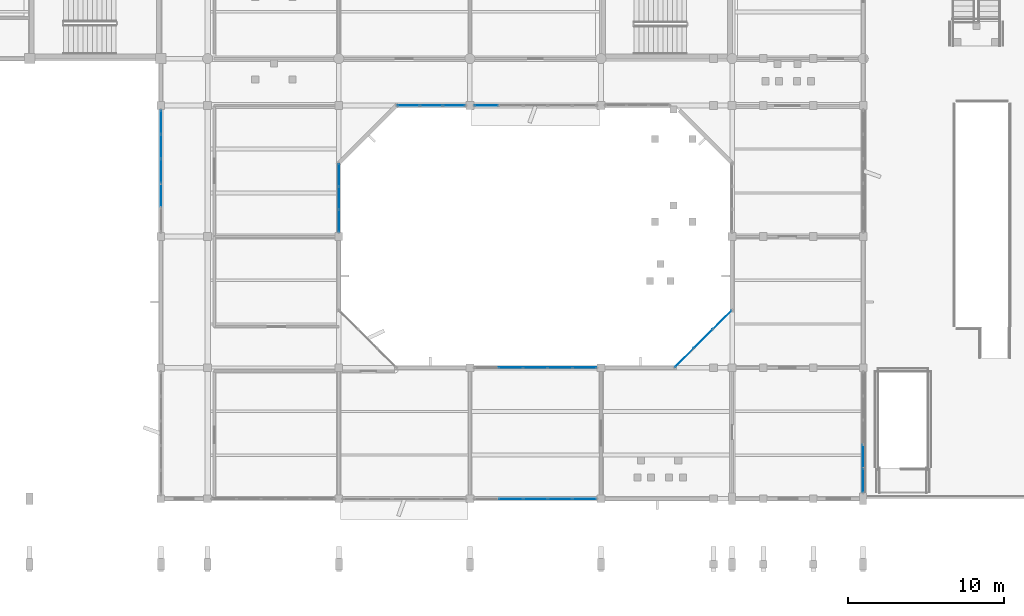
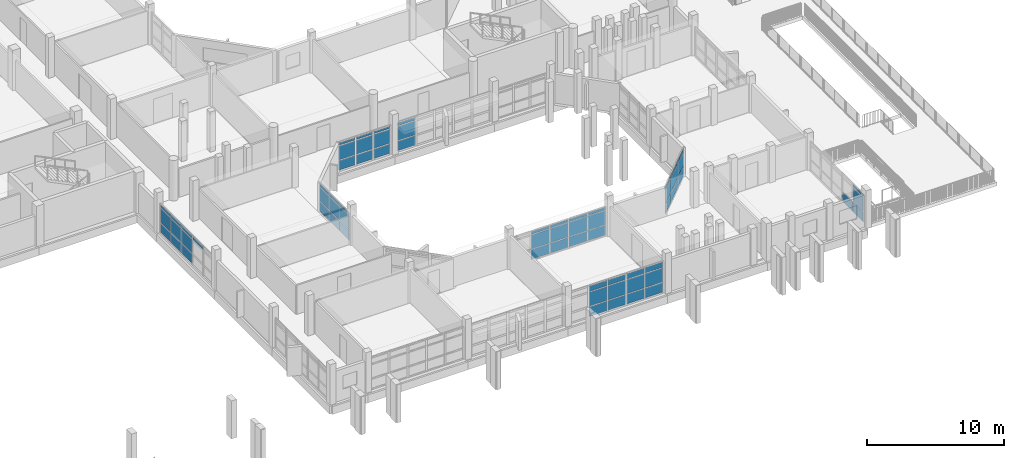
# One storey, part 54 of 104: 68 plates, 8 elements without a shape of their own.
"""IFC4 building model written with IfcOpenShell, lengths in metres."""

import ifcopenshell
import ifcopenshell.guid

model = None  # the IFC model being written
_history = None  # IfcOwnerHistory: only IFC2X3 demands one
_inside = {}  # id of a spatial element -> (the spatial element, [elements in it])
_under = {}  # id of a project, library or spatial element -> (it, [spatial elements below it])
_declared = {}  # id of a project -> (the project, [libraries it declares])
_typed = {}  # id of a type object -> (the type object, [elements of that type])
_made_of = {}  # id of a material, layer set ... -> (it, [elements and type objects made of it])


def new_model(schema):
    """Start an empty IFC model of exactly this schema.

    Asked for "IFC4X3", IfcOpenShell would pick the latest addendum, in which some entities
    have other attributes; the version numbers below select the first issue.
    IFC2X3 requires an IfcOwnerHistory on every rooted entity: one is made here for all.
    """
    global model, _history
    if schema == "IFC4X3":
        model = ifcopenshell.file(schema_version=(4, 3, 0, 0))
    else:
        model = ifcopenshell.file(schema=schema)
    _inside.clear()
    _under.clear()
    _declared.clear()
    _typed.clear()
    _made_of.clear()
    _history = None
    if model.schema == "IFC2X3":
        org = make("IfcOrganization", Name="unknown")
        user = make(
            "IfcPersonAndOrganization",
            ThePerson=make("IfcPerson", FamilyName="unknown"),
            TheOrganization=org,
        )
        app = make(
            "IfcApplication",
            ApplicationDeveloper=org,
            Version="unknown",
            ApplicationFullName="unknown",
            ApplicationIdentifier="unknown",
        )
        _history = make(
            "IfcOwnerHistory",
            OwningUser=user,
            OwningApplication=app,
            ChangeAction="ADDED",
            CreationDate=0,
        )
    return model


def make(cls, **values):
    """One entity of the class cls with the attributes given. An attribute that is None is left unset."""
    return model.create_entity(
        cls, **{name: value for name, value in values.items() if value is not None}
    )


def rooted(cls, **values):
    """An entity with a GlobalId (a new one), such as an element, a storey or a relation."""
    return make(cls, GlobalId=ifcopenshell.guid.new(), OwnerHistory=_history, **values)


def si_unit(unit_type, name, prefix=None):
    """IfcSIUnit, for example si_unit("LENGTHUNIT", "METRE", prefix="MILLI")."""
    return make("IfcSIUnit", UnitType=unit_type, Prefix=prefix, Name=name)


def assignment(units):
    """IfcUnitAssignment: the units of a project."""
    return None if units is None else make("IfcUnitAssignment", Units=units)


def point(xyz):
    """IfcCartesianPoint."""
    return None if xyz is None else make("IfcCartesianPoint", Coordinates=xyz)


def direction(xyz):
    """IfcDirection."""
    return None if xyz is None else make("IfcDirection", DirectionRatios=xyz)


def frame(location, z_axis=None, x_axis=None):
    """IfcAxis2Placement3D, a coordinate frame: its origin and axes. An axis left out is left unset."""
    return make(
        "IfcAxis2Placement3D",
        Location=point(location),
        Axis=direction(z_axis),
        RefDirection=direction(x_axis),
    )


def frame_2d(location, x_axis=None):
    """IfcAxis2Placement2D, a coordinate frame in the plane: its origin and x axis."""
    return make(
        "IfcAxis2Placement2D", Location=point(location), RefDirection=direction(x_axis)
    )


def origin():
    """The frame at (0, 0, 0) with its axes left unset."""
    return frame((0.0, 0.0, 0.0))


def origin_2d():
    """The frame at (0, 0) in the plane with its x axis left unset."""
    return frame_2d((0.0, 0.0))


def place(relative_to, where):
    """IfcLocalPlacement: puts the frame where relative to a parent placement (None: the world)."""
    return make(
        "IfcLocalPlacement", PlacementRelTo=relative_to, RelativePlacement=where
    )


def context(
    kind, dimensions, precision=None, world=None, true_north=None, identifier=None
):
    """IfcGeometricRepresentationContext, for example the 3D "Model" context."""
    return make(
        "IfcGeometricRepresentationContext",
        ContextIdentifier=identifier,
        ContextType=kind,
        CoordinateSpaceDimension=dimensions,
        Precision=precision,
        WorldCoordinateSystem=world,
        TrueNorth=true_north,
    )


def subcontext(parent, identifier, kind, view, scale=None):
    """IfcGeometricRepresentationSubContext, for example "Body" below "Model"."""
    return make(
        "IfcGeometricRepresentationSubContext",
        ContextIdentifier=identifier,
        ContextType=kind,
        ParentContext=parent,
        TargetScale=scale,
        TargetView=view,
    )


def project(units=None, contexts=None):
    """IfcProject with its units and contexts."""
    return rooted(
        "IfcProject",
        Name="project",
        RepresentationContexts=contexts,
        UnitsInContext=assignment(units),
    )


def spatial(cls, under=None, at=None, **own):
    """A site, building, storey or space (cls), placed at a placement, below another one or the project."""
    s = rooted(cls, ObjectPlacement=at, **own)
    if under is not None:
        _under.setdefault(under.id(), (under, []))[1].append(s)
    return s


def profile(cls, at=None, kind="AREA", **sizes):
    """A parametric profile (cls). Its sizes go by their IFC names, for example OverallWidth=200.0."""
    return make(cls, ProfileType=kind, Position=at, **sizes)


def rectangle(**sizes):
    """IfcRectangleProfileDef."""
    return profile("IfcRectangleProfileDef", **sizes)


def extrude(swept, where, along, depth):
    """IfcExtrudedAreaSolid: the profile swept, set in the frame where, extruded along a direction by depth."""
    return make(
        "IfcExtrudedAreaSolid",
        SweptArea=swept,
        Position=where,
        ExtrudedDirection=direction(along),
        Depth=depth,
    )


def shape(context_of_items, identifier, shape_type, items):
    """IfcShapeRepresentation: the items that make up one representation, for example the "Body"."""
    return make(
        "IfcShapeRepresentation",
        ContextOfItems=context_of_items,
        RepresentationIdentifier=identifier,
        RepresentationType=shape_type,
        Items=items,
    )


def material(Name=None, Category=None):
    """IfcMaterial."""
    return make("IfcMaterial", Name=Name, Category=Category)


def layer(
    of_material, thickness, ventilated=None, Name=None, Category=None, Priority=None
):
    """IfcMaterialLayer: one layer of a wall or slab, of a material (None: an air gap)."""
    return make(
        "IfcMaterialLayer",
        Material=of_material,
        LayerThickness=thickness,
        IsVentilated=ventilated,
        Name=Name,
        Category=Category,
        Priority=Priority,
    )


def layer_set(layers, Name=None):
    """IfcMaterialLayerSet."""
    return make("IfcMaterialLayerSet", MaterialLayers=layers, LayerSetName=Name)


def made_of(thing, what):
    """Note that an element or type object is made of a material, layer set ...; save() writes the relation."""
    if what is not None:
        _made_of.setdefault(what.id(), (what, []))[1].append(thing)
    return thing


def type_object(cls, material=None, **own):
    """A type object (cls), such as IfcWallType, which elements share."""
    return made_of(rooted(cls, **own), material)


def element(
    cls,
    number,
    at=None,
    inside=None,
    cuts=None,
    type_object=None,
    material=None,
    context=None,
    identifier="Body",
    shape_type=None,
    held_by="IfcProductDefinitionShape",
    body=None,
    shapes=None,
    **own,
):
    """One element of the class cls, such as IfcWall. Its Tag is "e" and its number.

    at: its placement. inside: the storey or other place that contains it. cuts: it is an
    opening in that element (IfcRelVoidsElement). A single representation is given by context,
    identifier, shape_type and body (its items); several are given by shapes. held_by: the class
    of the entity that holds the representations. save() writes the other relations.
    """
    e = rooted(cls, Tag="e%d" % number, ObjectPlacement=at, **own)
    if body is not None:
        shapes = [shape(context, identifier, shape_type, body)]
    if shapes is not None:
        e.Representation = make(held_by, Representations=shapes)
    if inside is not None:
        _inside.setdefault(inside.id(), (inside, []))[1].append(e)
    if cuts is not None:
        rooted(
            "IfcRelVoidsElement", RelatingBuildingElement=cuts, RelatedOpeningElement=e
        )
    if type_object is not None:
        _typed.setdefault(type_object.id(), (type_object, []))[1].append(e)
    return made_of(e, material)


def aggregate(whole, parts):
    """IfcRelAggregates: a whole, such as a stair, and the parts it consists of."""
    return rooted("IfcRelAggregates", RelatingObject=whole, RelatedObjects=parts)


def save(model, path):
    """Write the relations noted so far, then the file.

    IfcRelAggregates (storeys below a building ...), IfcRelContainedInSpatialStructure (elements
    in a storey), IfcRelDefinesByType, IfcRelAssociatesMaterial and IfcRelDeclares: one each for
    every whole, place, type object, material and project.
    """
    for whole, parts in _under.values():
        aggregate(whole, parts)
    for where, things in _inside.values():
        rooted(
            "IfcRelContainedInSpatialStructure",
            RelatedElements=things,
            RelatingStructure=where,
        )
    for kind, things in _typed.values():
        rooted("IfcRelDefinesByType", RelatedObjects=things, RelatingType=kind)
    for what, things in _made_of.values():
        rooted("IfcRelAssociatesMaterial", RelatedObjects=things, RelatingMaterial=what)
    for by, libraries in _declared.values():
        rooted("IfcRelDeclares", RelatingContext=by, RelatedDefinitions=libraries)
    model.write(path)


model = new_model("IFC4")

# Units and contexts
model_context = context("Model", 3, precision=1e-05, world=origin(), true_north=direction((0.0, 1.0)))
body_context = subcontext(model_context, "Body", "Model", "MODEL_VIEW")
ifc_project = project(units=[si_unit("LENGTHUNIT", "METRE"), si_unit("AREAUNIT", "SQUARE_METRE"), si_unit("VOLUMEUNIT", "CUBIC_METRE"), si_unit("PLANEANGLEUNIT", "RADIAN"), si_unit("MASSUNIT", "GRAM", prefix="KILO")], contexts=[model_context])

# Site, building, storey
site_placement = place(None, origin())
site = spatial("IfcSite", under=ifc_project, at=site_placement, CompositionType="ELEMENT")
building_placement = place(site_placement, origin())
building = spatial("IfcBuilding", under=site, at=building_placement, Name="Vanh Quang Courtyard School", CompositionType="ELEMENT")
storey_placement = place(building_placement, frame((0.0, 0.0, 4.199951171875)))
storey = spatial("IfcBuildingStorey", under=building, at=storey_placement, Name="L01", CompositionType="ELEMENT", Elevation=4.199951171875)

# Curtain wall, plates
ifc_material_1 = material(Name="Thermally broken aluminium unitised curtain wall", Category="aluminium")
curtain_wall_type_1 = type_object("IfcCurtainWallType", Name="CW-SYS-24", PredefinedType="NOTDEFINED", material=ifc_material_1)
curtain_wall_1_placement = place(storey_placement, origin())
curtain_wall_1 = element("IfcCurtainWall", 1, at=curtain_wall_1_placement, inside=storey, type_object=curtain_wall_type_1, Name="Curtain Wall CW-24 (L01)", PredefinedType="NOTDEFINED")
ifc_material_2 = material(Name="Low-E laminated double glazing", Category="glass")
ifc_layer_1 = layer(ifc_material_2, 0.028076171875)
ifc_layer_set_1 = layer_set([ifc_layer_1], Name="Low-E laminated double glazing")
plate_type_1 = type_object("IfcPlateType", Name="CW-PNL-28", PredefinedType="CURTAIN_PANEL", material=ifc_layer_set_1)
plate_1_placement = place(storey_placement, frame((119.39990234375, 6.91064453125, 0.06005859375), z_axis=(0.0, 0.0, 1.0), x_axis=(0.0, -1.0, 0.0)))
plate_1 = element("IfcPlate", 2, at=plate_1_placement, type_object=plate_type_1, Name="CW-24 panel 4.1", PredefinedType="CURTAIN_PANEL", context=body_context, shape_type="SweptSolid", body=[
    extrude(rectangle(XDim=1.49169921875, YDim=0.028076171875, at=origin_2d()), origin(), (0.0, 0.0, 1.0), 0.860107421875),
])
plate_2_placement = place(storey_placement, frame((119.39990234375, 5.373779296875, 0.06005859375), z_axis=(0.0, 0.0, 1.0), x_axis=(0.0, -1.0, 0.0)))
plate_2 = element("IfcPlate", 3, at=plate_2_placement, type_object=plate_type_1, Name="CW-24 panel 5.1", PredefinedType="CURTAIN_PANEL", context=body_context, shape_type="SweptSolid", body=[
    extrude(rectangle(XDim=1.4619140625, YDim=0.028076171875, at=origin_2d()), origin(), (0.0, 0.0, 1.0), 0.860107421875),
])
plate_3_placement = place(storey_placement, frame((119.39990234375, 5.373779296875, 0.97998046875), z_axis=(0.0, 0.0, 1.0), x_axis=(0.0, -1.0, 0.0)))
plate_3 = element("IfcPlate", 4, at=plate_3_placement, type_object=plate_type_1, Name="CW-24 panel 5.2", PredefinedType="CURTAIN_PANEL", context=body_context, shape_type="SweptSolid", body=[
    extrude(rectangle(XDim=1.4619140625, YDim=0.028076171875, at=origin_2d()), origin(), (0.0, 0.0, 1.0), 1.239990234375),
])
plate_4_placement = place(storey_placement, frame((119.39990234375, 5.373779296875, 2.2802734375), z_axis=(0.0, 0.0, 1.0), x_axis=(0.0, -1.0, 0.0)))
plate_4 = element("IfcPlate", 5, at=plate_4_placement, type_object=plate_type_1, Name="CW-24 panel 5.3", PredefinedType="CURTAIN_PANEL", context=body_context, shape_type="SweptSolid", body=[
    extrude(rectangle(XDim=1.4619140625, YDim=0.028076171875, at=origin_2d()), origin(), (0.0, 0.0, 1.0), 0.239990234375),
])
aggregate(curtain_wall_1, [plate_1, plate_2, plate_3, plate_4])

curtain_wall_type_2 = type_object("IfcCurtainWallType", Name="CW-SYS-37", PredefinedType="NOTDEFINED", material=ifc_material_1)
curtain_wall_2_placement = place(storey_placement, origin())
curtain_wall_2 = element("IfcCurtainWall", 6, at=curtain_wall_2_placement, inside=storey, type_object=curtain_wall_type_2, Name="Curtain Wall CW-37 (L01)", PredefinedType="NOTDEFINED")
plate_5_placement = place(storey_placement, frame((107.932373046875, 13.228271484375, 0.06982421875), z_axis=(0.0, 0.0, 1.0), x_axis=(0.707106781187, 0.707106781187, 0.0)))
plate_5 = element("IfcPlate", 7, at=plate_5_placement, type_object=plate_type_1, Name="CW-37 panel 1.1", PredefinedType="CURTAIN_PANEL", context=body_context, shape_type="SweptSolid", body=[
    extrude(rectangle(XDim=1.63720703125, YDim=0.028076171875, at=origin_2d()), origin(), (0.0, 0.0, 1.0), 0.844970703125),
])
plate_6_placement = place(storey_placement, frame((107.932373046875, 13.228271484375, 0.985107421875), z_axis=(0.0, 0.0, 1.0), x_axis=(0.707106781187, 0.707106781187, 0.0)))
plate_6 = element("IfcPlate", 8, at=plate_6_placement, type_object=plate_type_1, Name="CW-37 panel 1.2", PredefinedType="CURTAIN_PANEL", context=body_context, shape_type="SweptSolid", body=[
    extrude(rectangle(XDim=1.63720703125, YDim=0.028076171875, at=origin_2d()), origin(), (0.0, 0.0, 1.0), 1.22998046875),
])
plate_7_placement = place(storey_placement, frame((107.932373046875, 13.228271484375, 2.284912109375), z_axis=(0.0, 0.0, 1.0), x_axis=(0.707106781187, 0.707106781187, 0.0)))
plate_7 = element("IfcPlate", 9, at=plate_7_placement, type_object=plate_type_1, Name="CW-37 panel 1.3", PredefinedType="CURTAIN_PANEL", context=body_context, shape_type="SweptSolid", body=[
    extrude(rectangle(XDim=1.63720703125, YDim=0.028076171875, at=origin_2d()), origin(), (0.0, 0.0, 1.0), 0.22509765625),
])
plate_8_placement = place(storey_placement, frame((109.152099609375, 14.447998046875, 0.06982421875), z_axis=(0.0, 0.0, 1.0), x_axis=(0.707106781187, 0.707106781187, 0.0)))
plate_8 = element("IfcPlate", 10, at=plate_8_placement, type_object=plate_type_1, Name="CW-37 panel 2.1", PredefinedType="CURTAIN_PANEL", context=body_context, shape_type="SweptSolid", body=[
    extrude(rectangle(XDim=1.67236328125, YDim=0.028076171875, at=origin_2d()), origin(), (0.0, 0.0, 1.0), 0.844970703125),
])
plate_9_placement = place(storey_placement, frame((109.152099609375, 14.447998046875, 0.985107421875), z_axis=(0.0, 0.0, 1.0), x_axis=(0.707106781187, 0.707106781187, 0.0)))
plate_9 = element("IfcPlate", 11, at=plate_9_placement, type_object=plate_type_1, Name="CW-37 panel 2.2", PredefinedType="CURTAIN_PANEL", context=body_context, shape_type="SweptSolid", body=[
    extrude(rectangle(XDim=1.67236328125, YDim=0.028076171875, at=origin_2d()), origin(), (0.0, 0.0, 1.0), 1.22998046875),
])
plate_10_placement = place(storey_placement, frame((109.152099609375, 14.447998046875, 2.284912109375), z_axis=(0.0, 0.0, 1.0), x_axis=(0.707106781187, 0.707106781187, 0.0)))
plate_10 = element("IfcPlate", 12, at=plate_10_placement, type_object=plate_type_1, Name="CW-37 panel 2.3", PredefinedType="CURTAIN_PANEL", context=body_context, shape_type="SweptSolid", body=[
    extrude(rectangle(XDim=1.67236328125, YDim=0.028076171875, at=origin_2d()), origin(), (0.0, 0.0, 1.0), 0.22509765625),
])
plate_11_placement = place(storey_placement, frame((110.37158203125, 15.667724609375, 0.06982421875), z_axis=(0.0, 0.0, 1.0), x_axis=(0.707106781187, 0.707106781187, 0.0)))
plate_11 = element("IfcPlate", 13, at=plate_11_placement, type_object=plate_type_1, Name="CW-37 panel 3.1", PredefinedType="CURTAIN_PANEL", context=body_context, shape_type="SweptSolid", body=[
    extrude(rectangle(XDim=1.63720703125, YDim=0.028076171875, at=origin_2d()), origin(), (0.0, 0.0, 1.0), 0.844970703125),
])
plate_12_placement = place(storey_placement, frame((110.37158203125, 15.667724609375, 0.985107421875), z_axis=(0.0, 0.0, 1.0), x_axis=(0.707106781187, 0.707106781187, 0.0)))
plate_12 = element("IfcPlate", 14, at=plate_12_placement, type_object=plate_type_1, Name="CW-37 panel 3.2", PredefinedType="CURTAIN_PANEL", context=body_context, shape_type="SweptSolid", body=[
    extrude(rectangle(XDim=1.63720703125, YDim=0.028076171875, at=origin_2d()), origin(), (0.0, 0.0, 1.0), 1.22998046875),
])
plate_13_placement = place(storey_placement, frame((110.37158203125, 15.667724609375, 2.284912109375), z_axis=(0.0, 0.0, 1.0), x_axis=(0.707106781187, 0.707106781187, 0.0)))
plate_13 = element("IfcPlate", 15, at=plate_13_placement, type_object=plate_type_1, Name="CW-37 panel 3.3", PredefinedType="CURTAIN_PANEL", context=body_context, shape_type="SweptSolid", body=[
    extrude(rectangle(XDim=1.63720703125, YDim=0.028076171875, at=origin_2d()), origin(), (0.0, 0.0, 1.0), 0.22509765625),
])
aggregate(curtain_wall_2, [plate_5, plate_6, plate_7, plate_8, plate_9, plate_10, plate_11, plate_12, plate_13])

curtain_wall_type_3 = type_object("IfcCurtainWallType", Name="CW-SYS-38", PredefinedType="NOTDEFINED", material=ifc_material_1)
curtain_wall_3_placement = place(storey_placement, origin())
curtain_wall_3 = element("IfcCurtainWall", 16, at=curtain_wall_3_placement, inside=storey, type_object=curtain_wall_type_3, Name="Curtain Wall CW-38 (L01)", PredefinedType="NOTDEFINED")
plate_14_placement = place(storey_placement, frame((93.180908203125, 29.39990234375, 0.080078125), z_axis=(0.0, 0.0, 1.0), x_axis=(-1.0, 0.0, 0.0)))
plate_14 = element("IfcPlate", 17, at=plate_14_placement, type_object=plate_type_1, Name="CW-38 panel 1.1", PredefinedType="CURTAIN_PANEL", context=body_context, shape_type="SweptSolid", body=[
    extrude(rectangle(XDim=1.362060546875, YDim=0.028076171875, at=origin_2d()), origin(), (0.0, 0.0, 1.0), 0.830078125),
])
plate_15_placement = place(storey_placement, frame((93.180908203125, 29.39990234375, 0.990234375), z_axis=(0.0, 0.0, 1.0), x_axis=(-1.0, 0.0, 0.0)))
plate_15 = element("IfcPlate", 18, at=plate_15_placement, type_object=plate_type_1, Name="CW-38 panel 1.2", PredefinedType="CURTAIN_PANEL", context=body_context, shape_type="SweptSolid", body=[
    extrude(rectangle(XDim=1.362060546875, YDim=0.028076171875, at=origin_2d()), origin(), (0.0, 0.0, 1.0), 1.219970703125),
])
plate_16_placement = place(storey_placement, frame((93.180908203125, 29.39990234375, 2.2900390625), z_axis=(0.0, 0.0, 1.0), x_axis=(-1.0, 0.0, 0.0)))
plate_16 = element("IfcPlate", 19, at=plate_16_placement, type_object=plate_type_1, Name="CW-38 panel 1.3", PredefinedType="CURTAIN_PANEL", context=body_context, shape_type="SweptSolid", body=[
    extrude(rectangle(XDim=1.362060546875, YDim=0.028076171875, at=origin_2d()), origin(), (0.0, 0.0, 1.0), 0.2099609375),
])
plate_17_placement = place(storey_placement, frame((91.718994140625, 29.39990234375, 0.080078125), z_axis=(0.0, 0.0, 1.0), x_axis=(-1.0, 0.0, 0.0)))
plate_17 = element("IfcPlate", 20, at=plate_17_placement, type_object=plate_type_1, Name="CW-38 panel 2.1", PredefinedType="CURTAIN_PANEL", context=body_context, shape_type="SweptSolid", body=[
    extrude(rectangle(XDim=1.402099609375, YDim=0.028076171875, at=origin_2d()), origin(), (0.0, 0.0, 1.0), 0.830078125),
])
plate_18_placement = place(storey_placement, frame((91.718994140625, 29.39990234375, 0.990234375), z_axis=(0.0, 0.0, 1.0), x_axis=(-1.0, 0.0, 0.0)))
plate_18 = element("IfcPlate", 21, at=plate_18_placement, type_object=plate_type_1, Name="CW-38 panel 2.2", PredefinedType="CURTAIN_PANEL", context=body_context, shape_type="SweptSolid", body=[
    extrude(rectangle(XDim=1.402099609375, YDim=0.028076171875, at=origin_2d()), origin(), (0.0, 0.0, 1.0), 1.219970703125),
])
plate_19_placement = place(storey_placement, frame((91.718994140625, 29.39990234375, 2.2900390625), z_axis=(0.0, 0.0, 1.0), x_axis=(-1.0, 0.0, 0.0)))
plate_19 = element("IfcPlate", 22, at=plate_19_placement, type_object=plate_type_1, Name="CW-38 panel 2.3", PredefinedType="CURTAIN_PANEL", context=body_context, shape_type="SweptSolid", body=[
    extrude(rectangle(XDim=1.402099609375, YDim=0.028076171875, at=origin_2d()), origin(), (0.0, 0.0, 1.0), 0.2099609375),
])
plate_20_placement = place(storey_placement, frame((90.257080078125, 29.39990234375, 0.080078125), z_axis=(0.0, 0.0, 1.0), x_axis=(-1.0, 0.0, 0.0)))
plate_20 = element("IfcPlate", 23, at=plate_20_placement, type_object=plate_type_1, Name="CW-38 panel 3.1", PredefinedType="CURTAIN_PANEL", context=body_context, shape_type="SweptSolid", body=[
    extrude(rectangle(XDim=1.362060546875, YDim=0.028076171875, at=origin_2d()), origin(), (0.0, 0.0, 1.0), 0.830078125),
])
plate_21_placement = place(storey_placement, frame((90.257080078125, 29.39990234375, 0.990234375), z_axis=(0.0, 0.0, 1.0), x_axis=(-1.0, 0.0, 0.0)))
plate_21 = element("IfcPlate", 24, at=plate_21_placement, type_object=plate_type_1, Name="CW-38 panel 3.2", PredefinedType="CURTAIN_PANEL", context=body_context, shape_type="SweptSolid", body=[
    extrude(rectangle(XDim=1.362060546875, YDim=0.028076171875, at=origin_2d()), origin(), (0.0, 0.0, 1.0), 1.219970703125),
])
plate_22_placement = place(storey_placement, frame((90.257080078125, 29.39990234375, 2.2900390625), z_axis=(0.0, 0.0, 1.0), x_axis=(-1.0, 0.0, 0.0)))
plate_22 = element("IfcPlate", 25, at=plate_22_placement, type_object=plate_type_1, Name="CW-38 panel 3.3", PredefinedType="CURTAIN_PANEL", context=body_context, shape_type="SweptSolid", body=[
    extrude(rectangle(XDim=1.362060546875, YDim=0.028076171875, at=origin_2d()), origin(), (0.0, 0.0, 1.0), 0.2099609375),
])
aggregate(curtain_wall_3, [plate_14, plate_15, plate_16, plate_17, plate_18, plate_19, plate_20, plate_21, plate_22])

curtain_wall_type_4 = type_object("IfcCurtainWallType", Name="CW-SYS-28", PredefinedType="NOTDEFINED", material=ifc_material_1)
curtain_wall_4_placement = place(storey_placement, origin())
curtain_wall_4 = element("IfcCurtainWall", 26, at=curtain_wall_4_placement, inside=storey, type_object=curtain_wall_type_4, Name="Curtain Wall CW-28 (L01)", PredefinedType="NOTDEFINED")
ifc_layer_2 = layer(ifc_material_2, 0.031982421875)
ifc_layer_set_2 = layer_set([ifc_layer_2], Name="Low-E laminated double glazing")
plate_type_2 = type_object("IfcPlateType", Name="CW-PNL-32", PredefinedType="CURTAIN_PANEL", material=ifc_layer_set_2)
plate_23_placement = place(storey_placement, frame((101.5361328125, 4.199951171875, 0.06982421875), z_axis=(0.0, 0.0, 1.0), x_axis=(-1.0, 0.0, 0.0)))
plate_23 = element("IfcPlate", 27, at=plate_23_placement, type_object=plate_type_2, Name="CW-28 panel 1.1", PredefinedType="CURTAIN_PANEL", context=body_context, shape_type="SweptSolid", body=[
    extrude(rectangle(XDim=1.4716796875, YDim=0.031982421875, at=origin_2d()), origin(), (0.0, 0.0, 1.0), 0.844970703125),
])
plate_24_placement = place(storey_placement, frame((101.5361328125, 4.199951171875, 0.985107421875), z_axis=(0.0, 0.0, 1.0), x_axis=(-1.0, 0.0, 0.0)))
plate_24 = element("IfcPlate", 28, at=plate_24_placement, type_object=plate_type_2, Name="CW-28 panel 1.2", PredefinedType="CURTAIN_PANEL", context=body_context, shape_type="SweptSolid", body=[
    extrude(rectangle(XDim=1.4716796875, YDim=0.031982421875, at=origin_2d()), origin(), (0.0, 0.0, 1.0), 1.22998046875),
])
plate_25_placement = place(storey_placement, frame((101.5361328125, 4.199951171875, 2.284912109375), z_axis=(0.0, 0.0, 1.0), x_axis=(-1.0, 0.0, 0.0)))
plate_25 = element("IfcPlate", 29, at=plate_25_placement, type_object=plate_type_2, Name="CW-28 panel 1.3", PredefinedType="CURTAIN_PANEL", context=body_context, shape_type="SweptSolid", body=[
    extrude(rectangle(XDim=1.4716796875, YDim=0.031982421875, at=origin_2d()), origin(), (0.0, 0.0, 1.0), 0.47509765625),
])
plate_26_placement = place(storey_placement, frame((99.976806640625, 4.199951171875, 0.06982421875), z_axis=(0.0, 0.0, 1.0), x_axis=(-1.0, 0.0, 0.0)))
plate_26 = element("IfcPlate", 30, at=plate_26_placement, type_object=plate_type_2, Name="CW-28 panel 2.1", PredefinedType="CURTAIN_PANEL", context=body_context, shape_type="SweptSolid", body=[
    extrude(rectangle(XDim=1.5068359375, YDim=0.031982421875, at=origin_2d()), origin(), (0.0, 0.0, 1.0), 0.844970703125),
])
plate_27_placement = place(storey_placement, frame((99.976806640625, 4.199951171875, 0.985107421875), z_axis=(0.0, 0.0, 1.0), x_axis=(-1.0, 0.0, 0.0)))
plate_27 = element("IfcPlate", 31, at=plate_27_placement, type_object=plate_type_2, Name="CW-28 panel 2.2", PredefinedType="CURTAIN_PANEL", context=body_context, shape_type="SweptSolid", body=[
    extrude(rectangle(XDim=1.5068359375, YDim=0.031982421875, at=origin_2d()), origin(), (0.0, 0.0, 1.0), 1.22998046875),
])
plate_28_placement = place(storey_placement, frame((99.976806640625, 4.199951171875, 2.284912109375), z_axis=(0.0, 0.0, 1.0), x_axis=(-1.0, 0.0, 0.0)))
plate_28 = element("IfcPlate", 32, at=plate_28_placement, type_object=plate_type_2, Name="CW-28 panel 2.3", PredefinedType="CURTAIN_PANEL", context=body_context, shape_type="SweptSolid", body=[
    extrude(rectangle(XDim=1.5068359375, YDim=0.031982421875, at=origin_2d()), origin(), (0.0, 0.0, 1.0), 0.47509765625),
])
plate_29_placement = place(storey_placement, frame((98.39990234375, 4.199951171875, 0.06982421875), z_axis=(0.0, 0.0, 1.0), x_axis=(-1.0, 0.0, 0.0)))
plate_29 = element("IfcPlate", 33, at=plate_29_placement, type_object=plate_type_2, Name="CW-28 panel 3.1", PredefinedType="CURTAIN_PANEL", context=body_context, shape_type="SweptSolid", body=[
    extrude(rectangle(XDim=1.5068359375, YDim=0.031982421875, at=origin_2d()), origin(), (0.0, 0.0, 1.0), 0.844970703125),
])
plate_30_placement = place(storey_placement, frame((98.39990234375, 4.199951171875, 0.985107421875), z_axis=(0.0, 0.0, 1.0), x_axis=(-1.0, 0.0, 0.0)))
plate_30 = element("IfcPlate", 34, at=plate_30_placement, type_object=plate_type_2, Name="CW-28 panel 3.2", PredefinedType="CURTAIN_PANEL", context=body_context, shape_type="SweptSolid", body=[
    extrude(rectangle(XDim=1.5068359375, YDim=0.031982421875, at=origin_2d()), origin(), (0.0, 0.0, 1.0), 1.22998046875),
])
plate_31_placement = place(storey_placement, frame((98.39990234375, 4.199951171875, 2.284912109375), z_axis=(0.0, 0.0, 1.0), x_axis=(-1.0, 0.0, 0.0)))
plate_31 = element("IfcPlate", 35, at=plate_31_placement, type_object=plate_type_2, Name="CW-28 panel 3.3", PredefinedType="CURTAIN_PANEL", context=body_context, shape_type="SweptSolid", body=[
    extrude(rectangle(XDim=1.5068359375, YDim=0.031982421875, at=origin_2d()), origin(), (0.0, 0.0, 1.0), 0.47509765625),
])
plate_32_placement = place(storey_placement, frame((96.8232421875, 4.199951171875, 0.06982421875), z_axis=(0.0, 0.0, 1.0), x_axis=(-1.0, 0.0, 0.0)))
plate_32 = element("IfcPlate", 36, at=plate_32_placement, type_object=plate_type_2, Name="CW-28 panel 4.1", PredefinedType="CURTAIN_PANEL", context=body_context, shape_type="SweptSolid", body=[
    extrude(rectangle(XDim=1.5068359375, YDim=0.031982421875, at=origin_2d()), origin(), (0.0, 0.0, 1.0), 0.844970703125),
])
plate_33_placement = place(storey_placement, frame((96.8232421875, 4.199951171875, 0.985107421875), z_axis=(0.0, 0.0, 1.0), x_axis=(-1.0, 0.0, 0.0)))
plate_33 = element("IfcPlate", 37, at=plate_33_placement, type_object=plate_type_2, Name="CW-28 panel 4.2", PredefinedType="CURTAIN_PANEL", context=body_context, shape_type="SweptSolid", body=[
    extrude(rectangle(XDim=1.5068359375, YDim=0.031982421875, at=origin_2d()), origin(), (0.0, 0.0, 1.0), 1.22998046875),
])
plate_34_placement = place(storey_placement, frame((96.8232421875, 4.199951171875, 2.284912109375), z_axis=(0.0, 0.0, 1.0), x_axis=(-1.0, 0.0, 0.0)))
plate_34 = element("IfcPlate", 38, at=plate_34_placement, type_object=plate_type_2, Name="CW-28 panel 4.3", PredefinedType="CURTAIN_PANEL", context=body_context, shape_type="SweptSolid", body=[
    extrude(rectangle(XDim=1.5068359375, YDim=0.031982421875, at=origin_2d()), origin(), (0.0, 0.0, 1.0), 0.47509765625),
])
aggregate(curtain_wall_4, [plate_23, plate_24, plate_25, plate_26, plate_27, plate_28, plate_29, plate_30, plate_31, plate_32, plate_33, plate_34])

curtain_wall_type_5 = type_object("IfcCurtainWallType", Name="CW-SYS-19", PredefinedType="NOTDEFINED", material=ifc_material_1)
curtain_wall_5_placement = place(storey_placement, origin())
curtain_wall_5 = element("IfcCurtainWall", 39, at=curtain_wall_5_placement, inside=storey, type_object=curtain_wall_type_5, Name="Curtain Wall CW-19 (L01)", PredefinedType="NOTDEFINED")
plate_35_placement = place(storey_placement, frame((74.39990234375, 23.623291015625, 2.2900390625), z_axis=(0.0, 0.0, 1.0), x_axis=(0.0, 1.0, 0.0)))
plate_35 = element("IfcPlate", 40, at=plate_35_placement, type_object=plate_type_2, Name="CW-19 panel 2.3", PredefinedType="CURTAIN_PANEL", context=body_context, shape_type="SweptSolid", body=[
    extrude(rectangle(XDim=1.496826171875, YDim=0.031982421875, at=origin_2d()), origin(), (0.0, 0.0, 1.0), 0.25),
])
plate_36_placement = place(storey_placement, frame((74.39990234375, 25.199951171875, 0.080078125), z_axis=(0.0, 0.0, 1.0), x_axis=(0.0, 1.0, 0.0)))
plate_36 = element("IfcPlate", 41, at=plate_36_placement, type_object=plate_type_2, Name="CW-19 panel 3.1", PredefinedType="CURTAIN_PANEL", context=body_context, shape_type="SweptSolid", body=[
    extrude(rectangle(XDim=1.496826171875, YDim=0.031982421875, at=origin_2d()), origin(), (0.0, 0.0, 1.0), 0.830078125),
])
plate_37_placement = place(storey_placement, frame((74.39990234375, 25.199951171875, 0.990234375), z_axis=(0.0, 0.0, 1.0), x_axis=(0.0, 1.0, 0.0)))
plate_37 = element("IfcPlate", 42, at=plate_37_placement, type_object=plate_type_2, Name="CW-19 panel 3.2", PredefinedType="CURTAIN_PANEL", context=body_context, shape_type="SweptSolid", body=[
    extrude(rectangle(XDim=1.496826171875, YDim=0.031982421875, at=origin_2d()), origin(), (0.0, 0.0, 1.0), 1.219970703125),
])
plate_38_placement = place(storey_placement, frame((74.39990234375, 25.199951171875, 2.2900390625), z_axis=(0.0, 0.0, 1.0), x_axis=(0.0, 1.0, 0.0)))
plate_38 = element("IfcPlate", 43, at=plate_38_placement, type_object=plate_type_2, Name="CW-19 panel 3.3", PredefinedType="CURTAIN_PANEL", context=body_context, shape_type="SweptSolid", body=[
    extrude(rectangle(XDim=1.496826171875, YDim=0.031982421875, at=origin_2d()), origin(), (0.0, 0.0, 1.0), 0.25),
])
plate_39_placement = place(storey_placement, frame((74.39990234375, 26.77685546875, 0.080078125), z_axis=(0.0, 0.0, 1.0), x_axis=(0.0, 1.0, 0.0)))
plate_39 = element("IfcPlate", 44, at=plate_39_placement, type_object=plate_type_2, Name="CW-19 panel 4.1", PredefinedType="CURTAIN_PANEL", context=body_context, shape_type="SweptSolid", body=[
    extrude(rectangle(XDim=1.496826171875, YDim=0.031982421875, at=origin_2d()), origin(), (0.0, 0.0, 1.0), 0.830078125),
])
plate_40_placement = place(storey_placement, frame((74.39990234375, 26.77685546875, 0.990234375), z_axis=(0.0, 0.0, 1.0), x_axis=(0.0, 1.0, 0.0)))
plate_40 = element("IfcPlate", 45, at=plate_40_placement, type_object=plate_type_2, Name="CW-19 panel 4.2", PredefinedType="CURTAIN_PANEL", context=body_context, shape_type="SweptSolid", body=[
    extrude(rectangle(XDim=1.496826171875, YDim=0.031982421875, at=origin_2d()), origin(), (0.0, 0.0, 1.0), 1.219970703125),
])
plate_41_placement = place(storey_placement, frame((74.39990234375, 26.77685546875, 2.2900390625), z_axis=(0.0, 0.0, 1.0), x_axis=(0.0, 1.0, 0.0)))
plate_41 = element("IfcPlate", 46, at=plate_41_placement, type_object=plate_type_2, Name="CW-19 panel 4.3", PredefinedType="CURTAIN_PANEL", context=body_context, shape_type="SweptSolid", body=[
    extrude(rectangle(XDim=1.496826171875, YDim=0.031982421875, at=origin_2d()), origin(), (0.0, 0.0, 1.0), 0.25),
])
plate_42_placement = place(storey_placement, frame((74.39990234375, 28.33349609375, 0.080078125), z_axis=(0.0, 0.0, 1.0), x_axis=(0.0, 1.0, 0.0)))
plate_42 = element("IfcPlate", 47, at=plate_42_placement, type_object=plate_type_2, Name="CW-19 panel 5.1", PredefinedType="CURTAIN_PANEL", context=body_context, shape_type="SweptSolid", body=[
    extrude(rectangle(XDim=1.456787109375, YDim=0.031982421875, at=origin_2d()), origin(), (0.0, 0.0, 1.0), 0.830078125),
])
plate_43_placement = place(storey_placement, frame((74.39990234375, 28.33349609375, 0.990234375), z_axis=(0.0, 0.0, 1.0), x_axis=(0.0, 1.0, 0.0)))
plate_43 = element("IfcPlate", 48, at=plate_43_placement, type_object=plate_type_2, Name="CW-19 panel 5.2", PredefinedType="CURTAIN_PANEL", context=body_context, shape_type="SweptSolid", body=[
    extrude(rectangle(XDim=1.456787109375, YDim=0.031982421875, at=origin_2d()), origin(), (0.0, 0.0, 1.0), 1.219970703125),
])
plate_44_placement = place(storey_placement, frame((74.39990234375, 28.33349609375, 2.2900390625), z_axis=(0.0, 0.0, 1.0), x_axis=(0.0, 1.0, 0.0)))
plate_44 = element("IfcPlate", 49, at=plate_44_placement, type_object=plate_type_2, Name="CW-19 panel 5.3", PredefinedType="CURTAIN_PANEL", context=body_context, shape_type="SweptSolid", body=[
    extrude(rectangle(XDim=1.456787109375, YDim=0.031982421875, at=origin_2d()), origin(), (0.0, 0.0, 1.0), 0.25),
])
aggregate(curtain_wall_5, [plate_35, plate_36, plate_37, plate_38, plate_39, plate_40, plate_41, plate_42, plate_43, plate_44])

curtain_wall_6_placement = place(storey_placement, origin())
curtain_wall_6 = element("IfcCurtainWall", 50, at=curtain_wall_6_placement, inside=storey, type_object=curtain_wall_type_5, Name="Curtain Wall CW-19 (L01)", PredefinedType="NOTDEFINED")
plate_45_placement = place(storey_placement, frame((96.8232421875, 12.60009765625, 0.06005859375), z_axis=(0.0, 0.0, 1.0), x_axis=(1.0, 0.0, 0.0)))
plate_45 = element("IfcPlate", 51, at=plate_45_placement, type_object=plate_type_2, Name="CW-19 panel 2.1", PredefinedType="CURTAIN_PANEL", context=body_context, shape_type="SweptSolid", body=[
    extrude(rectangle(XDim=1.516845703125, YDim=0.031982421875, at=origin_2d()), origin(), (0.0, 0.0, 1.0), 0.860107421875),
])
plate_46_placement = place(storey_placement, frame((96.8232421875, 12.60009765625, 0.97998046875), z_axis=(0.0, 0.0, 1.0), x_axis=(1.0, 0.0, 0.0)))
plate_46 = element("IfcPlate", 52, at=plate_46_placement, type_object=plate_type_2, Name="CW-19 panel 2.2", PredefinedType="CURTAIN_PANEL", context=body_context, shape_type="SweptSolid", body=[
    extrude(rectangle(XDim=1.516845703125, YDim=0.031982421875, at=origin_2d()), origin(), (0.0, 0.0, 1.0), 1.239990234375),
])
plate_47_placement = place(storey_placement, frame((96.8232421875, 12.60009765625, 2.2802734375), z_axis=(0.0, 0.0, 1.0), x_axis=(1.0, 0.0, 0.0)))
plate_47 = element("IfcPlate", 53, at=plate_47_placement, type_object=plate_type_2, Name="CW-19 panel 2.3", PredefinedType="CURTAIN_PANEL", context=body_context, shape_type="SweptSolid", body=[
    extrude(rectangle(XDim=1.516845703125, YDim=0.031982421875, at=origin_2d()), origin(), (0.0, 0.0, 1.0), 0.239990234375),
])
plate_48_placement = place(storey_placement, frame((98.39990234375, 12.60009765625, 0.06005859375), z_axis=(0.0, 0.0, 1.0), x_axis=(1.0, 0.0, 0.0)))
plate_48 = element("IfcPlate", 54, at=plate_48_placement, type_object=plate_type_2, Name="CW-19 panel 3.1", PredefinedType="CURTAIN_PANEL", context=body_context, shape_type="SweptSolid", body=[
    extrude(rectangle(XDim=1.516845703125, YDim=0.031982421875, at=origin_2d()), origin(), (0.0, 0.0, 1.0), 0.860107421875),
])
plate_49_placement = place(storey_placement, frame((98.39990234375, 12.60009765625, 0.97998046875), z_axis=(0.0, 0.0, 1.0), x_axis=(1.0, 0.0, 0.0)))
plate_49 = element("IfcPlate", 55, at=plate_49_placement, type_object=plate_type_2, Name="CW-19 panel 3.2", PredefinedType="CURTAIN_PANEL", context=body_context, shape_type="SweptSolid", body=[
    extrude(rectangle(XDim=1.516845703125, YDim=0.031982421875, at=origin_2d()), origin(), (0.0, 0.0, 1.0), 1.239990234375),
])
plate_50_placement = place(storey_placement, frame((98.39990234375, 12.60009765625, 2.2802734375), z_axis=(0.0, 0.0, 1.0), x_axis=(1.0, 0.0, 0.0)))
plate_50 = element("IfcPlate", 56, at=plate_50_placement, type_object=plate_type_2, Name="CW-19 panel 3.3", PredefinedType="CURTAIN_PANEL", context=body_context, shape_type="SweptSolid", body=[
    extrude(rectangle(XDim=1.516845703125, YDim=0.031982421875, at=origin_2d()), origin(), (0.0, 0.0, 1.0), 0.239990234375),
])
plate_51_placement = place(storey_placement, frame((99.976806640625, 12.60009765625, 0.06005859375), z_axis=(0.0, 0.0, 1.0), x_axis=(1.0, 0.0, 0.0)))
plate_51 = element("IfcPlate", 57, at=plate_51_placement, type_object=plate_type_2, Name="CW-19 panel 4.1", PredefinedType="CURTAIN_PANEL", context=body_context, shape_type="SweptSolid", body=[
    extrude(rectangle(XDim=1.516845703125, YDim=0.031982421875, at=origin_2d()), origin(), (0.0, 0.0, 1.0), 0.860107421875),
])
plate_52_placement = place(storey_placement, frame((99.976806640625, 12.60009765625, 0.97998046875), z_axis=(0.0, 0.0, 1.0), x_axis=(1.0, 0.0, 0.0)))
plate_52 = element("IfcPlate", 58, at=plate_52_placement, type_object=plate_type_2, Name="CW-19 panel 4.2", PredefinedType="CURTAIN_PANEL", context=body_context, shape_type="SweptSolid", body=[
    extrude(rectangle(XDim=1.516845703125, YDim=0.031982421875, at=origin_2d()), origin(), (0.0, 0.0, 1.0), 1.239990234375),
])
plate_53_placement = place(storey_placement, frame((99.976806640625, 12.60009765625, 2.2802734375), z_axis=(0.0, 0.0, 1.0), x_axis=(1.0, 0.0, 0.0)))
plate_53 = element("IfcPlate", 59, at=plate_53_placement, type_object=plate_type_2, Name="CW-19 panel 4.3", PredefinedType="CURTAIN_PANEL", context=body_context, shape_type="SweptSolid", body=[
    extrude(rectangle(XDim=1.516845703125, YDim=0.031982421875, at=origin_2d()), origin(), (0.0, 0.0, 1.0), 0.239990234375),
])
plate_54_placement = place(storey_placement, frame((101.53857421875, 12.60009765625, 0.06005859375), z_axis=(0.0, 0.0, 1.0), x_axis=(1.0, 0.0, 0.0)))
plate_54 = element("IfcPlate", 60, at=plate_54_placement, type_object=plate_type_2, Name="CW-19 panel 5.1", PredefinedType="CURTAIN_PANEL", context=body_context, shape_type="SweptSolid", body=[
    extrude(rectangle(XDim=1.48681640625, YDim=0.031982421875, at=origin_2d()), origin(), (0.0, 0.0, 1.0), 0.860107421875),
])
plate_55_placement = place(storey_placement, frame((101.53857421875, 12.60009765625, 0.97998046875), z_axis=(0.0, 0.0, 1.0), x_axis=(1.0, 0.0, 0.0)))
plate_55 = element("IfcPlate", 61, at=plate_55_placement, type_object=plate_type_2, Name="CW-19 panel 5.2", PredefinedType="CURTAIN_PANEL", context=body_context, shape_type="SweptSolid", body=[
    extrude(rectangle(XDim=1.48681640625, YDim=0.031982421875, at=origin_2d()), origin(), (0.0, 0.0, 1.0), 1.239990234375),
])
plate_56_placement = place(storey_placement, frame((101.53857421875, 12.60009765625, 2.2802734375), z_axis=(0.0, 0.0, 1.0), x_axis=(1.0, 0.0, 0.0)))
plate_56 = element("IfcPlate", 62, at=plate_56_placement, type_object=plate_type_2, Name="CW-19 panel 5.3", PredefinedType="CURTAIN_PANEL", context=body_context, shape_type="SweptSolid", body=[
    extrude(rectangle(XDim=1.48681640625, YDim=0.031982421875, at=origin_2d()), origin(), (0.0, 0.0, 1.0), 0.239990234375),
])
aggregate(curtain_wall_6, [plate_45, plate_46, plate_47, plate_48, plate_49, plate_50, plate_51, plate_52, plate_53, plate_54, plate_55, plate_56])

curtain_wall_7_placement = place(storey_placement, origin())
curtain_wall_7 = element("IfcCurtainWall", 63, at=curtain_wall_7_placement, inside=storey, type_object=curtain_wall_type_5, Name="Curtain Wall CW-19 (L01)", PredefinedType="NOTDEFINED")
plate_57_placement = place(storey_placement, frame((95.263916015625, 29.39990234375, 0.06982421875), z_axis=(0.0, 0.0, 1.0), x_axis=(-1.0, 0.0, 0.0)))
plate_57 = element("IfcPlate", 64, at=plate_57_placement, type_object=plate_type_2, Name="CW-19 panel 5.1", PredefinedType="CURTAIN_PANEL", context=body_context, shape_type="SweptSolid", body=[
    extrude(rectangle(XDim=1.4716796875, YDim=0.031982421875, at=origin_2d()), origin(), (0.0, 0.0, 1.0), 0.844970703125),
])
plate_58_placement = place(storey_placement, frame((95.263916015625, 29.39990234375, 0.985107421875), z_axis=(0.0, 0.0, 1.0), x_axis=(-1.0, 0.0, 0.0)))
plate_58 = element("IfcPlate", 65, at=plate_58_placement, type_object=plate_type_2, Name="CW-19 panel 5.2", PredefinedType="CURTAIN_PANEL", context=body_context, shape_type="SweptSolid", body=[
    extrude(rectangle(XDim=1.4716796875, YDim=0.031982421875, at=origin_2d()), origin(), (0.0, 0.0, 1.0), 1.22998046875),
])
plate_59_placement = place(storey_placement, frame((95.263916015625, 29.39990234375, 2.28515625), z_axis=(0.0, 0.0, 1.0), x_axis=(-1.0, 0.0, 0.0)))
plate_59 = element("IfcPlate", 66, at=plate_59_placement, type_object=plate_type_2, Name="CW-19 panel 5.3", PredefinedType="CURTAIN_PANEL", context=body_context, shape_type="SweptSolid", body=[
    extrude(rectangle(XDim=1.4716796875, YDim=0.031982421875, at=origin_2d()), origin(), (0.0, 0.0, 1.0), 0.264892578125),
])
aggregate(curtain_wall_7, [plate_57, plate_58, plate_59])

curtain_wall_8_placement = place(storey_placement, origin())
curtain_wall_8 = element("IfcCurtainWall", 67, at=curtain_wall_8_placement, inside=storey, type_object=curtain_wall_type_3, Name="Curtain Wall CW-38 (L01)", PredefinedType="NOTDEFINED")
plate_60_placement = place(storey_placement, frame((85.800048828125, 24.947998046875, 0.06005859375), z_axis=(0.0, 0.0, 1.0), x_axis=(0.0, -1.0, 0.0)))
plate_60 = element("IfcPlate", 68, at=plate_60_placement, type_object=plate_type_2, Name="CW-38 panel 1.1", PredefinedType="CURTAIN_PANEL", context=body_context, shape_type="SweptSolid", body=[
    extrude(rectangle(XDim=1.39208984375, YDim=0.031982421875, at=origin_2d()), origin(), (0.0, 0.0, 1.0), 0.860107421875),
])
plate_61_placement = place(storey_placement, frame((85.800048828125, 24.947998046875, 0.97998046875), z_axis=(0.0, 0.0, 1.0), x_axis=(0.0, -1.0, 0.0)))
plate_61 = element("IfcPlate", 69, at=plate_61_placement, type_object=plate_type_2, Name="CW-38 panel 1.2", PredefinedType="CURTAIN_PANEL", context=body_context, shape_type="SweptSolid", body=[
    extrude(rectangle(XDim=1.39208984375, YDim=0.031982421875, at=origin_2d()), origin(), (0.0, 0.0, 1.0), 1.239990234375),
])
plate_62_placement = place(storey_placement, frame((85.800048828125, 24.947998046875, 2.2802734375), z_axis=(0.0, 0.0, 1.0), x_axis=(0.0, -1.0, 0.0)))
plate_62 = element("IfcPlate", 70, at=plate_62_placement, type_object=plate_type_2, Name="CW-38 panel 1.3", PredefinedType="CURTAIN_PANEL", context=body_context, shape_type="SweptSolid", body=[
    extrude(rectangle(XDim=1.39208984375, YDim=0.031982421875, at=origin_2d()), origin(), (0.0, 0.0, 1.0), 0.239990234375),
])
plate_63_placement = place(storey_placement, frame((85.800048828125, 23.48095703125, 0.06005859375), z_axis=(0.0, 0.0, 1.0), x_axis=(0.0, -1.0, 0.0)))
plate_63 = element("IfcPlate", 71, at=plate_63_placement, type_object=plate_type_2, Name="CW-38 panel 2.1", PredefinedType="CURTAIN_PANEL", context=body_context, shape_type="SweptSolid", body=[
    extrude(rectangle(XDim=1.422119140625, YDim=0.031982421875, at=origin_2d()), origin(), (0.0, 0.0, 1.0), 0.860107421875),
])
plate_64_placement = place(storey_placement, frame((85.800048828125, 23.48095703125, 0.97998046875), z_axis=(0.0, 0.0, 1.0), x_axis=(0.0, -1.0, 0.0)))
plate_64 = element("IfcPlate", 72, at=plate_64_placement, type_object=plate_type_2, Name="CW-38 panel 2.2", PredefinedType="CURTAIN_PANEL", context=body_context, shape_type="SweptSolid", body=[
    extrude(rectangle(XDim=1.422119140625, YDim=0.031982421875, at=origin_2d()), origin(), (0.0, 0.0, 1.0), 1.239990234375),
])
plate_65_placement = place(storey_placement, frame((85.800048828125, 23.48095703125, 2.2802734375), z_axis=(0.0, 0.0, 1.0), x_axis=(0.0, -1.0, 0.0)))
plate_65 = element("IfcPlate", 73, at=plate_65_placement, type_object=plate_type_2, Name="CW-38 panel 2.3", PredefinedType="CURTAIN_PANEL", context=body_context, shape_type="SweptSolid", body=[
    extrude(rectangle(XDim=1.422119140625, YDim=0.031982421875, at=origin_2d()), origin(), (0.0, 0.0, 1.0), 0.239990234375),
])
plate_66_placement = place(storey_placement, frame((85.800048828125, 22.013916015625, 0.06005859375), z_axis=(0.0, 0.0, 1.0), x_axis=(0.0, -1.0, 0.0)))
plate_66 = element("IfcPlate", 74, at=plate_66_placement, type_object=plate_type_2, Name="CW-38 panel 3.1", PredefinedType="CURTAIN_PANEL", context=body_context, shape_type="SweptSolid", body=[
    extrude(rectangle(XDim=1.39208984375, YDim=0.031982421875, at=origin_2d()), origin(), (0.0, 0.0, 1.0), 0.860107421875),
])
plate_67_placement = place(storey_placement, frame((85.800048828125, 22.013916015625, 0.97998046875), z_axis=(0.0, 0.0, 1.0), x_axis=(0.0, -1.0, 0.0)))
plate_67 = element("IfcPlate", 75, at=plate_67_placement, type_object=plate_type_2, Name="CW-38 panel 3.2", PredefinedType="CURTAIN_PANEL", context=body_context, shape_type="SweptSolid", body=[
    extrude(rectangle(XDim=1.39208984375, YDim=0.031982421875, at=origin_2d()), origin(), (0.0, 0.0, 1.0), 1.239990234375),
])
plate_68_placement = place(storey_placement, frame((85.800048828125, 22.013916015625, 2.2802734375), z_axis=(0.0, 0.0, 1.0), x_axis=(0.0, -1.0, 0.0)))
plate_68 = element("IfcPlate", 76, at=plate_68_placement, type_object=plate_type_2, Name="CW-38 panel 3.3", PredefinedType="CURTAIN_PANEL", context=body_context, shape_type="SweptSolid", body=[
    extrude(rectangle(XDim=1.39208984375, YDim=0.031982421875, at=origin_2d()), origin(), (0.0, 0.0, 1.0), 0.239990234375),
])
aggregate(curtain_wall_8, [plate_60, plate_61, plate_62, plate_63, plate_64, plate_65, plate_66, plate_67, plate_68])

save(model, "model.ifc")
